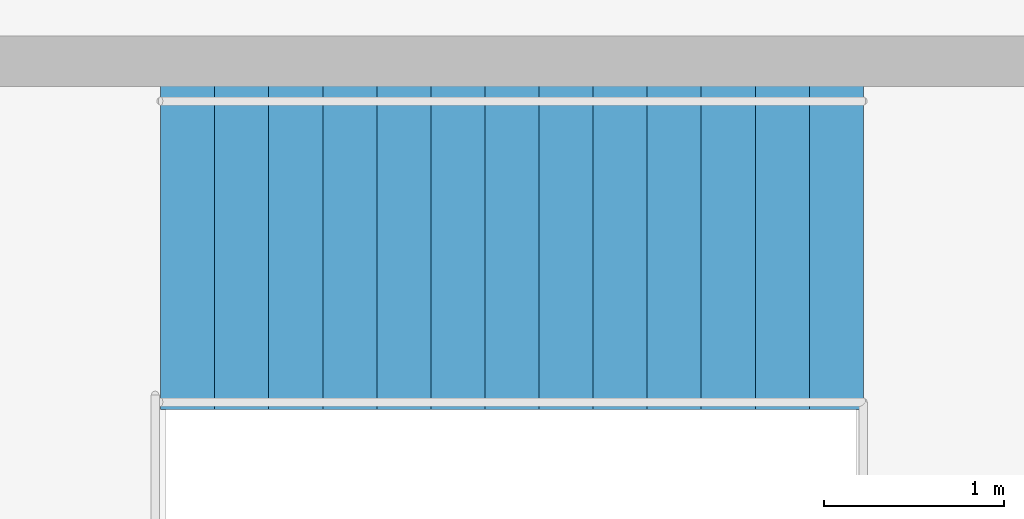
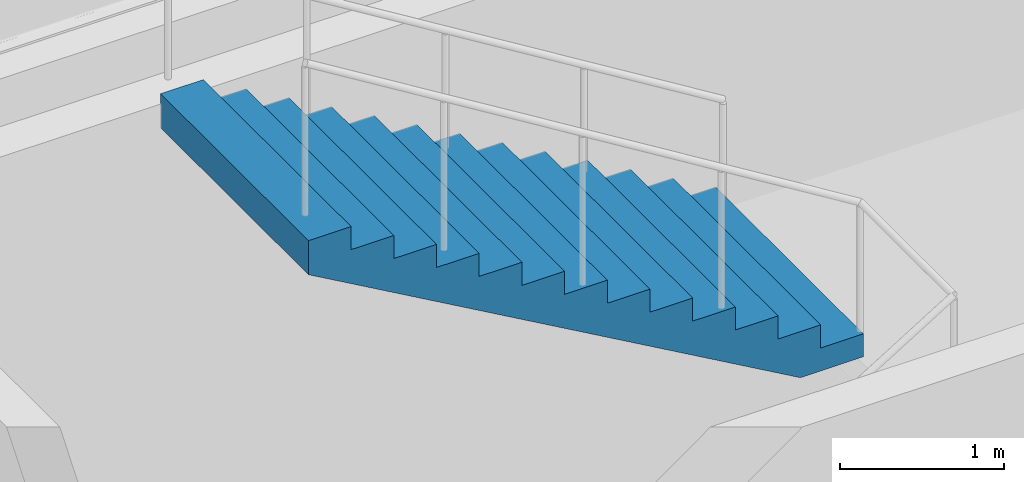
# One storey, part 183 of 200: 1 stair flight, 1 element without a shape of its own.
"""IFC4 building model written with IfcOpenShell, lengths in metres."""

from ifc_helpers import new_model, si_unit, direction, frame, origin, place, context, subcontext, project, spatial, polyline, outline, extrude, material, layer, layer_set, type_object, element, aggregate, save


model = new_model("IFC4")

# Units and contexts
model_context = context("Model", 3, precision=1e-05, world=origin(), true_north=direction((0.0, 1.0)))
body_context = subcontext(model_context, "Body", "Model", "MODEL_VIEW")
ifc_project = project(units=[si_unit("LENGTHUNIT", "METRE"), si_unit("AREAUNIT", "SQUARE_METRE"), si_unit("VOLUMEUNIT", "CUBIC_METRE"), si_unit("PLANEANGLEUNIT", "RADIAN"), si_unit("MASSUNIT", "GRAM", prefix="KILO"), si_unit("THERMODYNAMICTEMPERATUREUNIT", "KELVIN"), si_unit("POWERUNIT", "WATT")], contexts=[model_context])

# Site, building, storey
site_placement = place(None, origin())
site = spatial("IfcSite", under=ifc_project, at=site_placement, CompositionType="ELEMENT")
building_placement = place(site_placement, origin())
building = spatial("IfcBuilding", under=site, at=building_placement, Name="Tepalcoro Natatorium and Aquatics Centre", CompositionType="ELEMENT")
storey_placement = place(building_placement, frame((0.0, 0.0, 5.39990234375)))
storey = spatial("IfcBuildingStorey", under=building, at=storey_placement, Name="L01", CompositionType="ELEMENT", Elevation=5.39990234375)

# Stair, stair flight
ifc_material = material(Name="Concrete C35/45 (fc 35 MPa)", Category="concrete")
stair_type = type_object("IfcStairType", Name="ST_RC_1800_B1", PredefinedType="HALF_TURN_STAIR", material=ifc_material)
stair_placement = place(storey_placement, origin())
stair = element("IfcStair", 1, at=stair_placement, inside=storey, type_object=stair_type, Name="Wellness & Broadcast East Fire Stair (L01 to L02)", PredefinedType="HALF_TURN_STAIR")
ifc_layer = layer(ifc_material, 0.219970703125)
ifc_layer_set = layer_set([ifc_layer], Name="Concrete C35/45 (fc 35 MPa)")
stair_flight_type = type_object("IfcStairFlightType", Name="SF_RC_1800_L01", PredefinedType="STRAIGHT", material=ifc_layer_set)
stair_flight_placement = place(storey_placement, frame((172.179931640625, 115.47998046875, 2.400146484375), z_axis=(0.0, 0.0, 1.0), x_axis=(-1.0, 0.0, 0.0)))
stair_flight = element("IfcStairFlight", 2, at=stair_flight_placement, type_object=stair_flight_type, Name="Wellness & Broadcast East Fire Stair (L01 to L02) Flight 2", NumberOfRisers=14, NumberOfTreads=13, PredefinedType="STRAIGHT", RiserHeight=0.171429, TreadLength=0.3, context=body_context, shape_type="SweptSolid", body=[
    extrude(outline(polyline([(0.0, 0.0), (0.0, 0.17138671875), (0.300048828125, 0.17138671875), (0.300048828125, 0.3427734375), (0.60009765625, 0.3427734375), (0.60009765625, 0.514404296875), (0.89990234375, 0.514404296875), (0.89990234375, 0.685791015625), (1.199951171875, 0.685791015625), (1.199951171875, 0.857177734375), (1.5, 0.857177734375), (1.5, 1.028564453125), (1.800048828125, 1.028564453125), (1.800048828125, 1.199951171875), (2.10009765625, 1.199951171875), (2.10009765625, 1.371337890625), (2.39990234375, 1.371337890625), (2.39990234375, 1.54296875), (2.699951171875, 1.54296875), (2.699951171875, 1.71435546875), (3.0, 1.71435546875), (3.0, 1.8857421875), (3.300048828125, 1.8857421875), (3.300048828125, 2.05712890625), (3.60009765625, 2.05712890625), (3.60009765625, 2.228515625), (3.89990234375, 2.228515625), (3.89990234375, 2.39990234375), (3.89990234375, 1.975341796875), (0.443359375, 0.0), (0.0, 0.0)])), frame((0.0, 0.89990234375, 0.0), z_axis=(0.0, -1.0, 0.0), x_axis=(1.0, 0.0, 0.0)), (0.0, 0.0, 1.0), 1.800048828125),
])
aggregate(stair, [stair_flight])

save(model, "model.ifc")
